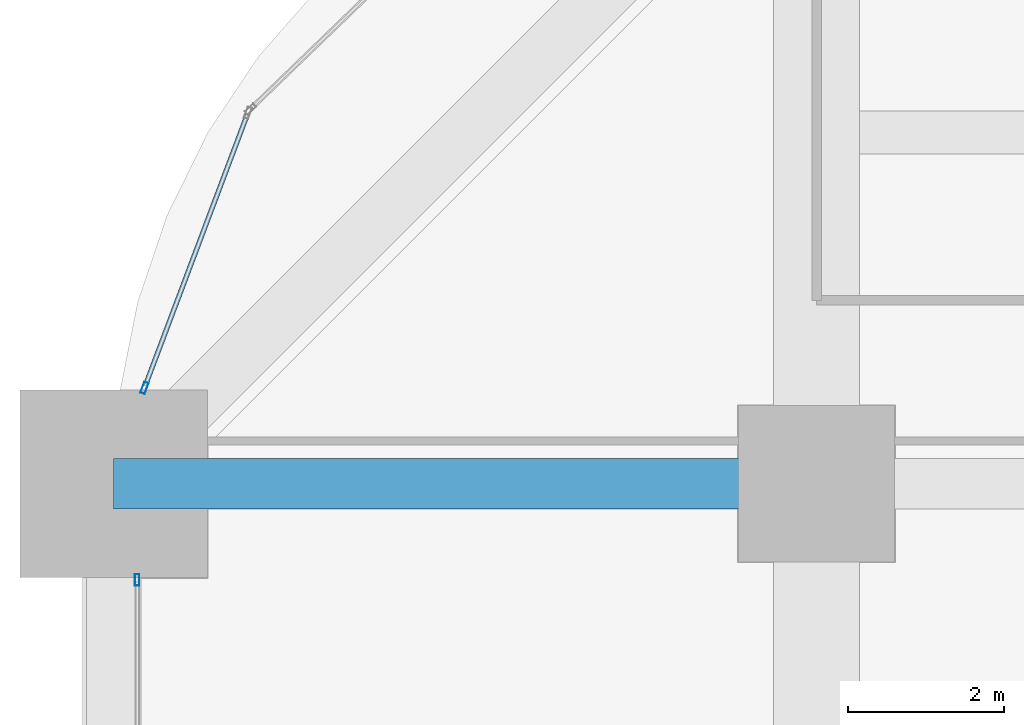
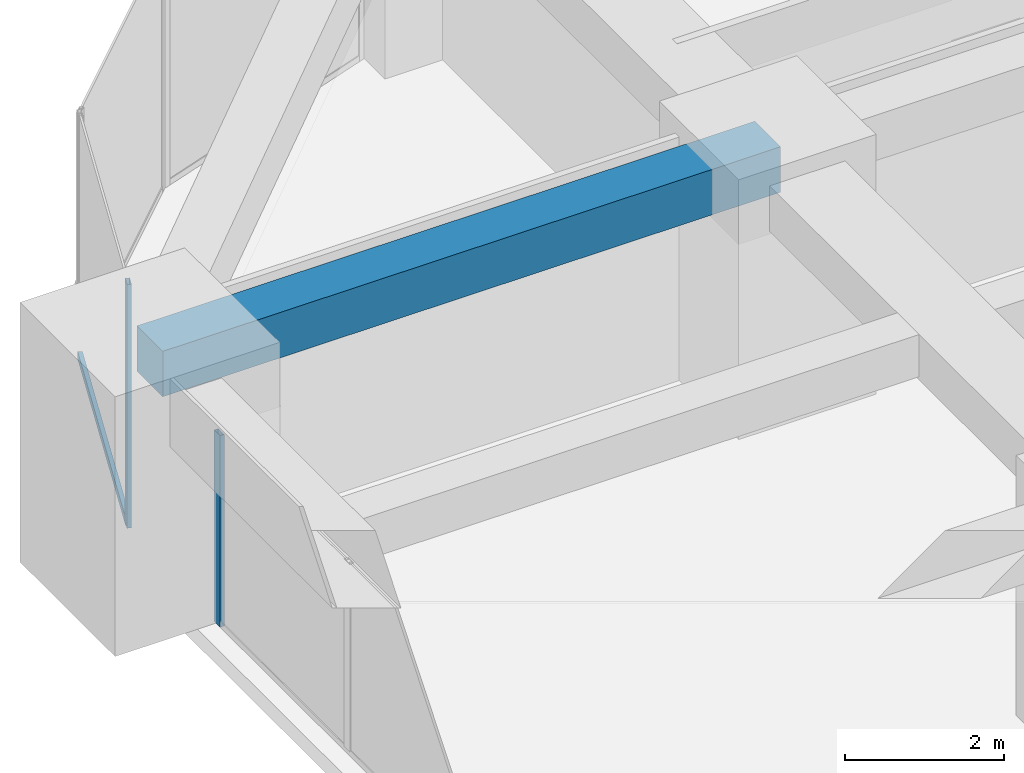
# One storey, part 24 of 41: 3 members, 1 beam, 2 elements without a shape of their own.
"""IFC4 building model written with IfcOpenShell, lengths in metres."""

from ifc_helpers import new_model, si_unit, direction, frame, origin, origin_2d, place, context, subcontext, project, spatial, rectangle, hollow_rectangle, extrude, material, material_profile, profile_set, type_object, element, aggregate, save


model = new_model("IFC4")

# Units and contexts
model_context = context("Model", 3, precision=1e-05, world=origin(), true_north=direction((0.0, 1.0)))
body_context = subcontext(model_context, "Body", "Model", "MODEL_VIEW")
ifc_project = project(units=[si_unit("LENGTHUNIT", "METRE"), si_unit("AREAUNIT", "SQUARE_METRE"), si_unit("VOLUMEUNIT", "CUBIC_METRE"), si_unit("PLANEANGLEUNIT", "RADIAN"), si_unit("MASSUNIT", "GRAM", prefix="KILO")], contexts=[model_context])

# Site, building, storey
site_placement = place(None, origin())
site = spatial("IfcSite", under=ifc_project, at=site_placement, CompositionType="ELEMENT")
building_placement = place(site_placement, origin())
building = spatial("IfcBuilding", under=site, at=building_placement, Name="Zorevar Civic Tower", CompositionType="ELEMENT")
storey_placement = place(building_placement, frame((0.0, 0.0, 105.0)))
storey = spatial("IfcBuildingStorey", under=building, at=storey_placement, Name="L25", CompositionType="ELEMENT", Elevation=105.0)

# Beam
ifc_material_1 = material(Name="Concrete C50/60", Category="concrete")
ifc_material_profile_1 = material_profile(ifc_material_1, rectangle(XDim=0.64990234375, YDim=0.699951171875, at=origin_2d()), Name="RC 650x700")
ifc_profile_set_1 = profile_set([ifc_material_profile_1], Name="Concrete C50/60")
beam_type = type_object("IfcBeamType", Name="Beam RC 650x700", PredefinedType="BEAM", material=ifc_profile_set_1)
beam_placement = place(storey_placement, frame((0.0, 36.0, 3.39990234375), z_axis=(1.0, 0.0, 0.0), x_axis=(0.0, 1.0, 0.0)))
element("IfcBeam", 1, at=beam_placement, inside=storey, type_object=beam_type, Name="Girder L26", PredefinedType="BEAM", context=body_context, shape_type="SweptSolid", body=[
    extrude(rectangle(XDim=0.64990234375, YDim=0.699951171875, at=origin_2d()), origin(), (0.0, 0.0, 1.0), 9.0),
])

# Curtain wall, member
ifc_material_2 = material(Name="Dark grey solar-control glass in black aluminium frame", Category="aluminium")
curtain_wall_type = type_object("IfcCurtainWallType", Name="Curtain wall CW3 mid zone", PredefinedType="NOTDEFINED", material=ifc_material_2)
curtain_wall_1_placement = place(storey_placement, origin())
curtain_wall_1 = element("IfcCurtainWall", 2, at=curtain_wall_1_placement, inside=storey, type_object=curtain_wall_type, Name="CW3 L25", PredefinedType="NOTDEFINED")
ifc_material_3 = material(Name="Aluminium, black anodised", Category="aluminium")
ifc_material_profile_2 = material_profile(ifc_material_3, hollow_rectangle(XDim=0.06005859375, YDim=0.14990234375, WallThickness=0.00390625, at=origin_2d()), Name="AL 150x60x4")
ifc_profile_set_2 = profile_set([ifc_material_profile_2], Name="Aluminium, black anodised")
member_type_1 = type_object("IfcMemberType", Name="CW3 mullion AL 150x60x4", PredefinedType="MULLION", material=ifc_profile_set_2)
member_1_placement = place(storey_placement, frame((0.300048828125, 34.77001953125, 0.0), z_axis=(0.0, 0.0, 1.0), x_axis=(-1.0, 0.0, 0.0)))
member_1 = element("IfcMember", 3, at=member_1_placement, type_object=member_type_1, Name="CW3 mullion 3", PredefinedType="MULLION", context=body_context, shape_type="SweptSolid", body=[
    extrude(hollow_rectangle(XDim=0.06005859375, YDim=0.14990234375, WallThickness=0.00390625, at=origin_2d()), origin(), (0.0, 0.0, 1.0), 2.949951171875),
])
aggregate(curtain_wall_1, [member_1])

# Curtain wall, members
curtain_wall_2_placement = place(storey_placement, origin())
curtain_wall_2 = element("IfcCurtainWall", 4, at=curtain_wall_2_placement, inside=storey, type_object=curtain_wall_type, Name="CW3 L25", PredefinedType="NOTDEFINED")
member_2_placement = place(storey_placement, frame((0.393798828125, 37.22802734375, 0.0), z_axis=(0.0, 0.0, 1.0), x_axis=(0.935950528564, -0.352131520999, 0.0)))
member_2 = element("IfcMember", 5, at=member_2_placement, type_object=member_type_1, Name="CW3 mullion 2", PredefinedType="MULLION", context=body_context, shape_type="SweptSolid", body=[
    extrude(hollow_rectangle(XDim=0.06005859375, YDim=0.14990234375, WallThickness=0.00390625, at=origin_2d()), origin(), (0.0, 0.0, 1.0), 3.75),
])
ifc_material_4 = material(Name="Aluminium, black anodised", Category="aluminium")
ifc_material_profile_3 = material_profile(ifc_material_4, hollow_rectangle(XDim=0.06005859375, YDim=0.1201171875, WallThickness=0.0029296875, at=origin_2d()), Name="AL 120x60x3")
ifc_profile_set_3 = profile_set([ifc_material_profile_3], Name="Aluminium, black anodised")
member_type_2 = type_object("IfcMemberType", Name="CW3 transom AL 120x60x3", PredefinedType="USERDEFINED", material=ifc_profile_set_3)
member_3_placement = place(storey_placement, frame((1.7080078125, 40.72119140625, 0.030029296875), z_axis=(-0.352142207579, -0.935946507895, 0.0), x_axis=(0.935946507895, -0.352142207579, 0.0)))
member_3 = element("IfcMember", 6, at=member_3_placement, type_object=member_type_2, Name="CW3 sill transom", ObjectType="TRANSOM", PredefinedType="USERDEFINED", context=body_context, shape_type="SweptSolid", body=[
    extrude(hollow_rectangle(XDim=0.06005859375, YDim=0.1201171875, WallThickness=0.0029296875, at=origin_2d()), origin(), (0.0, 0.0, 1.0), 3.7021484375),
])
aggregate(curtain_wall_2, [member_2, member_3])

save(model, "model.ifc")
